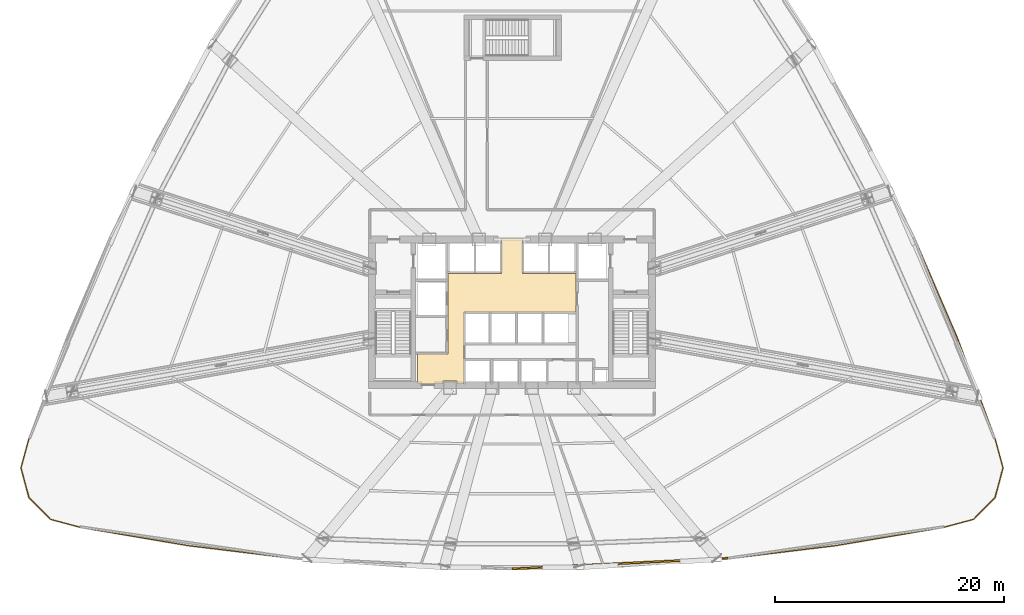
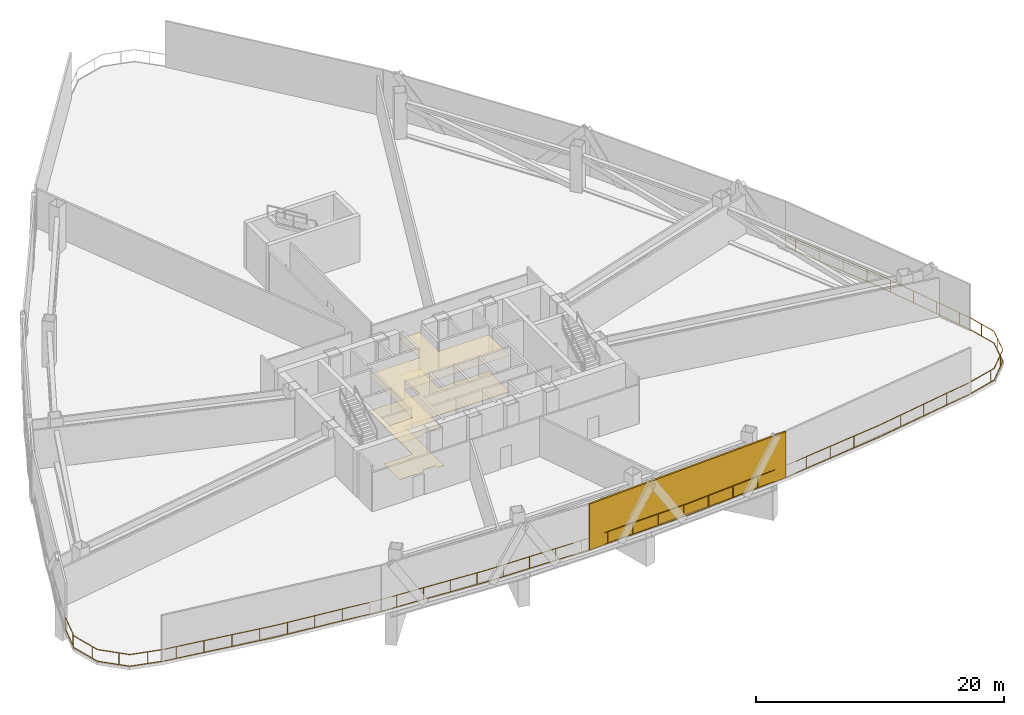
# One storey, part 13 of 17: 2 coverings, 1 railing, 1 shading device.
"""IFC4 building model written with IfcOpenShell, lengths in metres."""

from ifc_helpers import new_model, si_unit, direction, frame, origin, origin_2d, place, context, subcontext, project, spatial, polyline, rectangle, outline, extrude, source, transform, mapped, material, layer, layer_set, type_object, element, save


model = new_model("IFC4")

# Units and contexts
model_context = context("Model", 3, precision=1e-05, world=origin(), true_north=direction((0.0, 1.0)))
body_context = subcontext(model_context, "Body", "Model", "MODEL_VIEW")
ifc_project = project(units=[si_unit("LENGTHUNIT", "METRE"), si_unit("AREAUNIT", "SQUARE_METRE"), si_unit("VOLUMEUNIT", "CUBIC_METRE"), si_unit("PLANEANGLEUNIT", "RADIAN"), si_unit("MASSUNIT", "GRAM", prefix="KILO"), si_unit("THERMODYNAMICTEMPERATUREUNIT", "KELVIN"), si_unit("POWERUNIT", "WATT")], contexts=[model_context])

# Site, building, storey
site_placement = place(None, origin())
site = spatial("IfcSite", under=ifc_project, at=site_placement, CompositionType="ELEMENT")
building_placement = place(site_placement, origin())
building = spatial("IfcBuilding", under=site, at=building_placement, Name="Yunzhuo Pagoda Commons", CompositionType="ELEMENT")
storey_placement = place(building_placement, frame((0.0, 0.0, 76.3798828125)))
storey = spatial("IfcBuildingStorey", under=building, at=storey_placement, Name="L19", CompositionType="ELEMENT", Elevation=76.3798828125)

# Coverings
ifc_material_1 = material(Name="Mineral fibre acoustic ceiling board")
ifc_layer_1 = layer(ifc_material_1, 0.02490234375)
ifc_layer_set_1 = layer_set([ifc_layer_1], Name="Mineral fibre acoustic ceiling board")
covering_type_1 = type_object("IfcCoveringType", Name="COV-CL1 Ceiling 25", PredefinedType="CEILING", material=ifc_layer_set_1)
covering_1_placement = place(storey_placement, frame((0.0, 0.0, 3.590087890625)))
element("IfcCovering", 1, at=covering_1_placement, inside=storey, type_object=covering_type_1, Name="L19 lift lobby acoustic ceiling", PredefinedType="CEILING", context=body_context, shape_type="SweptSolid", body=[
    extrude(outline(polyline([(39.75, 30.199951171875), (42.39990234375, 30.199951171875), (42.39990234375, 33.89990234375), (42.39990234375, 37.25), (47.10009765625, 37.25), (47.10009765625, 40.35009765625), (48.89990234375, 40.35009765625), (48.89990234375, 37.25), (53.580078125, 37.25), (53.580078125, 33.89990234375), (43.820068359375, 33.89990234375), (43.820068359375, 30.199951171875), (43.820068359375, 27.60009765625), (43.207763671875, 27.60009765625), (43.207763671875, 27.85009765625), (43.201904296875, 27.864013671875), (43.187744140625, 27.8701171875), (41.98779296875, 27.8701171875), (41.9736328125, 27.864013671875), (41.9677734375, 27.85009765625), (41.9677734375, 27.60009765625), (39.75, 27.60009765625), (39.75, 30.199951171875)])), origin(), (0.0, 0.0, 1.0), 0.025146484375),
])
ifc_material_2 = material(Name="Porcelain ceramic floor tile")
ifc_layer_2 = layer(ifc_material_2, 0.02001953125)
ifc_layer_set_2 = layer_set([ifc_layer_2], Name="Porcelain ceramic floor tile")
covering_type_2 = type_object("IfcCoveringType", Name="COV-FL1 Flooring 20", PredefinedType="FLOORING", material=ifc_layer_set_2)
covering_2_placement = place(storey_placement, origin())
element("IfcCovering", 2, at=covering_2_placement, inside=storey, type_object=covering_type_2, Name="L19 lift lobby flooring", PredefinedType="FLOORING", context=body_context, shape_type="SweptSolid", body=[
    extrude(outline(polyline([(39.75, 30.199951171875), (42.39990234375, 30.199951171875), (42.39990234375, 33.89990234375), (42.39990234375, 37.25), (47.10009765625, 37.25), (47.10009765625, 40.35009765625), (48.89990234375, 40.35009765625), (48.89990234375, 37.25), (53.580078125, 37.25), (53.580078125, 33.89990234375), (43.820068359375, 33.89990234375), (43.820068359375, 30.199951171875), (43.820068359375, 27.60009765625), (43.207763671875, 27.60009765625), (43.207763671875, 27.85009765625), (43.201904296875, 27.864013671875), (43.187744140625, 27.8701171875), (41.98779296875, 27.8701171875), (41.9736328125, 27.864013671875), (41.9677734375, 27.85009765625), (41.9677734375, 27.60009765625), (39.75, 27.60009765625), (39.75, 30.199951171875)])), origin(), (0.0, 0.0, 1.0), 0.02001953125),
])

# Railing
ifc_material_3 = material(Name="Anodized aluminium 6063-T6", Category="aluminium")
railing_type = type_object("IfcRailingType", Name="RL-PRT1 Wind Portal & Refuge Guardrail 1200", PredefinedType="GUARDRAIL", material=ifc_material_3)
railing_placement = place(storey_placement, frame((5.891357421875, 22.911376953125, 0.0)))
element("IfcRailing", 3, at=railing_placement, inside=storey, type_object=railing_type, Name="L19 refuge perimeter guardrail A", PredefinedType="GUARDRAIL", context=body_context, shape_type="SweptSolid", body=[
    extrude(rectangle(XDim=0.048095703125, YDim=0.048095703125, at=origin_2d()), frame((0.0, 0.0, 1.17578125), z_axis=(-0.263889664517, -0.964552873077, 0.0), x_axis=(0.964552873077, -0.263889664517, 0.0)), (0.0, 0.0, 1.0), 2.701416015625),
    extrude(rectangle(XDim=0.048095703125, YDim=0.048095703125, at=origin_2d()), frame((0.0, 0.0, 0.02392578125), z_axis=(-0.263889664517, -0.964552873077, 0.0), x_axis=(0.964552873077, -0.263889664517, 0.0)), (0.0, 0.0, 1.0), 2.701416015625),
    extrude(rectangle(XDim=0.048095703125, YDim=0.048095703125, at=origin_2d()), frame((-0.712890625, -2.605712890625, 1.17578125), z_axis=(0.255494804563, -0.966810428596, 0.0), x_axis=(0.966810428596, 0.255494804563, 0.0)), (0.0, 0.0, 1.0), 2.699462890625),
    extrude(rectangle(XDim=0.048095703125, YDim=0.048095703125, at=origin_2d()), frame((-0.712890625, -2.605712890625, 0.02392578125), z_axis=(0.255494804563, -0.966810428596, 0.0), x_axis=(0.966810428596, 0.255494804563, 0.0)), (0.0, 0.0, 1.0), 2.699462890625),
    extrude(rectangle(XDim=0.048095703125, YDim=0.048095703125, at=origin_2d()), frame((-0.023193359375, -5.215576171875, 1.17578125), z_axis=(0.706156522183, -0.708055764879, 0.0), x_axis=(0.708055764879, 0.706156522183, 0.0)), (0.0, 0.0, 1.0), 2.699462890625),
    extrude(rectangle(XDim=0.048095703125, YDim=0.048095703125, at=origin_2d()), frame((-0.023193359375, -5.215576171875, 0.02392578125), z_axis=(0.706156522183, -0.708055764879, 0.0), x_axis=(0.708055764879, 0.706156522183, 0.0)), (0.0, 0.0, 1.0), 2.699462890625),
    extrude(rectangle(XDim=0.048095703125, YDim=0.048095703125, at=origin_2d()), frame((1.883056640625, -7.126953125, 1.17578125), z_axis=(0.96604719575, -0.258365662549, 0.0), x_axis=(0.258365662549, 0.96604719575, 0.0)), (0.0, 0.0, 1.0), 2.70166015625),
    extrude(rectangle(XDim=0.048095703125, YDim=0.048095703125, at=origin_2d()), frame((1.883056640625, -7.126953125, 0.02392578125), z_axis=(0.96604719575, -0.258365662549, 0.0), x_axis=(0.258365662549, 0.96604719575, 0.0)), (0.0, 0.0, 1.0), 2.70166015625),
    extrude(rectangle(XDim=0.048095703125, YDim=0.048095703125, at=origin_2d()), frame((4.492919921875, -7.824951171875, 1.17578125), z_axis=(0.985997838458, -0.166758095925, 0.0), x_axis=(0.166758095925, 0.985997838458, 0.0)), (0.0, 0.0, 1.0), 9.547119140625),
    extrude(rectangle(XDim=0.048095703125, YDim=0.048095703125, at=origin_2d()), frame((4.492919921875, -7.824951171875, 0.02392578125), z_axis=(0.985997838458, -0.166758095925, 0.0), x_axis=(0.166758095925, 0.985997838458, 0.0)), (0.0, 0.0, 1.0), 9.547119140625),
    extrude(rectangle(XDim=0.048095703125, YDim=0.048095703125, at=origin_2d()), frame((13.90625, -9.4169921875, 1.17578125), z_axis=(0.992824806609, -0.119578022149, 0.0), x_axis=(0.119578022149, 0.992824806609, 0.0)), (0.0, 0.0, 1.0), 9.475341796875),
    extrude(rectangle(XDim=0.048095703125, YDim=0.048095703125, at=origin_2d()), frame((13.90625, -9.4169921875, 0.02392578125), z_axis=(0.992824806609, -0.119578022149, 0.0), x_axis=(0.119578022149, 0.992824806609, 0.0)), (0.0, 0.0, 1.0), 9.475341796875),
    extrude(rectangle(XDim=0.048095703125, YDim=0.048095703125, at=origin_2d()), frame((23.313720703125, -10.550048828125, 1.17578125), z_axis=(0.99741856871, -0.071806676513, 0.0), x_axis=(0.071806676513, 0.99741856871, 0.0)), (0.0, 0.0, 1.0), 9.4248046875),
    extrude(rectangle(XDim=0.048095703125, YDim=0.048095703125, at=origin_2d()), frame((23.313720703125, -10.550048828125, 0.02392578125), z_axis=(0.99741856871, -0.071806676513, 0.0), x_axis=(0.071806676513, 0.99741856871, 0.0)), (0.0, 0.0, 1.0), 9.4248046875),
    extrude(rectangle(XDim=0.048095703125, YDim=0.048095703125, at=origin_2d()), frame((32.714111328125, -11.226806640625, 1.17578125), z_axis=(0.999713692586, -0.023927658806, 0.0), x_axis=(0.023927658806, 0.999713692586, 0.0)), (0.0, 0.0, 1.0), 9.397216796875),
    extrude(rectangle(XDim=0.048095703125, YDim=0.048095703125, at=origin_2d()), frame((32.714111328125, -11.226806640625, 0.02392578125), z_axis=(0.999713692586, -0.023927658806, 0.0), x_axis=(0.023927658806, 0.999713692586, 0.0)), (0.0, 0.0, 1.0), 9.397216796875),
    extrude(rectangle(XDim=0.048095703125, YDim=0.048095703125, at=origin_2d()), frame((42.108642578125, -11.45166015625, 1.17578125), z_axis=(0.999713692586, 0.023927658806, 0.0), x_axis=(-0.023927658806, 0.999713692586, 0.0)), (0.0, 0.0, 1.0), 9.397216796875),
    extrude(rectangle(XDim=0.048095703125, YDim=0.048095703125, at=origin_2d()), frame((42.108642578125, -11.45166015625, 0.02392578125), z_axis=(0.999713692586, 0.023927658806, 0.0), x_axis=(-0.023927658806, 0.999713692586, 0.0)), (0.0, 0.0, 1.0), 9.397216796875),
    extrude(rectangle(XDim=0.048095703125, YDim=0.048095703125, at=origin_2d()), frame((51.503173828125, -11.226806640625, 1.17578125), z_axis=(0.99741856871, 0.071806676513, 0.0), x_axis=(-0.071806676513, 0.99741856871, 0.0)), (0.0, 0.0, 1.0), 9.4248046875),
    extrude(rectangle(XDim=0.048095703125, YDim=0.048095703125, at=origin_2d()), frame((51.503173828125, -11.226806640625, 0.02392578125), z_axis=(0.99741856871, 0.071806676513, 0.0), x_axis=(-0.071806676513, 0.99741856871, 0.0)), (0.0, 0.0, 1.0), 9.4248046875),
    extrude(rectangle(XDim=0.048095703125, YDim=0.048095703125, at=origin_2d()), frame((60.903564453125, -10.550048828125, 1.17578125), z_axis=(0.992824806609, 0.119578022149, 0.0), x_axis=(-0.119578022149, 0.992824806609, 0.0)), (0.0, 0.0, 1.0), 9.475341796875),
    extrude(rectangle(XDim=0.048095703125, YDim=0.048095703125, at=origin_2d()), frame((60.903564453125, -10.550048828125, 0.02392578125), z_axis=(0.992824806609, 0.119578022149, 0.0), x_axis=(-0.119578022149, 0.992824806609, 0.0)), (0.0, 0.0, 1.0), 9.475341796875),
    extrude(rectangle(XDim=0.048095703125, YDim=0.048095703125, at=origin_2d()), frame((70.31103515625, -9.4169921875, 1.17578125), z_axis=(0.985997838458, 0.166758095925, 0.0), x_axis=(-0.166758095925, 0.985997838458, 0.0)), (0.0, 0.0, 1.0), 9.547119140625),
    extrude(rectangle(XDim=0.048095703125, YDim=0.048095703125, at=origin_2d()), frame((70.31103515625, -9.4169921875, 0.02392578125), z_axis=(0.985997838458, 0.166758095925, 0.0), x_axis=(-0.166758095925, 0.985997838458, 0.0)), (0.0, 0.0, 1.0), 9.547119140625),
    extrude(rectangle(XDim=0.048095703125, YDim=0.048095703125, at=origin_2d()), frame((79.724365234375, -7.824951171875, 1.17578125), z_axis=(0.96604719575, 0.258365662549, 0.0), x_axis=(-0.258365662549, 0.96604719575, 0.0)), (0.0, 0.0, 1.0), 2.70166015625),
    extrude(rectangle(XDim=0.048095703125, YDim=0.048095703125, at=origin_2d()), frame((79.724365234375, -7.824951171875, 0.02392578125), z_axis=(0.96604719575, 0.258365662549, 0.0), x_axis=(-0.258365662549, 0.96604719575, 0.0)), (0.0, 0.0, 1.0), 2.70166015625),
    extrude(rectangle(XDim=0.048095703125, YDim=0.048095703125, at=origin_2d()), frame((82.334228515625, -7.126953125, 1.17578125), z_axis=(0.706156522183, 0.708055764879, 0.0), x_axis=(-0.708055764879, 0.706156522183, 0.0)), (0.0, 0.0, 1.0), 2.699462890625),
    extrude(rectangle(XDim=0.048095703125, YDim=0.048095703125, at=origin_2d()), frame((82.334228515625, -7.126953125, 0.02392578125), z_axis=(0.706156522183, 0.708055764879, 0.0), x_axis=(-0.708055764879, 0.706156522183, 0.0)), (0.0, 0.0, 1.0), 2.699462890625),
    extrude(rectangle(XDim=0.048095703125, YDim=0.048095703125, at=origin_2d()), frame((84.240478515625, -5.215576171875, 1.17578125), z_axis=(0.255494804563, 0.966810428596, 0.0), x_axis=(-0.966810428596, 0.255494804563, 0.0)), (0.0, 0.0, 1.0), 2.699462890625),
    extrude(rectangle(XDim=0.048095703125, YDim=0.048095703125, at=origin_2d()), frame((84.240478515625, -5.215576171875, 0.02392578125), z_axis=(0.255494804563, 0.966810428596, 0.0), x_axis=(-0.966810428596, 0.255494804563, 0.0)), (0.0, 0.0, 1.0), 2.699462890625),
    extrude(rectangle(XDim=0.048095703125, YDim=0.048095703125, at=origin_2d()), frame((84.93017578125, -2.605712890625, 1.17578125), z_axis=(-0.263889664517, 0.964552873077, 0.0), x_axis=(-0.964552873077, -0.263889664517, 0.0)), (0.0, 0.0, 1.0), 2.701416015625),
    extrude(rectangle(XDim=0.048095703125, YDim=0.048095703125, at=origin_2d()), frame((84.93017578125, -2.605712890625, 0.02392578125), z_axis=(-0.263889664517, 0.964552873077, 0.0), x_axis=(-0.964552873077, -0.263889664517, 0.0)), (0.0, 0.0, 1.0), 2.701416015625),
    extrude(rectangle(XDim=0.048095703125, YDim=0.048095703125, at=origin_2d()), frame((84.21728515625, 0.0, 1.17578125), z_axis=(-0.351761798176, 0.93608954558, 0.0), x_axis=(-0.93608954558, -0.351761798176, 0.0)), (0.0, 0.0, 1.0), 9.470947265625),
    extrude(rectangle(XDim=0.048095703125, YDim=0.048095703125, at=origin_2d()), frame((84.21728515625, 0.0, 0.02392578125), z_axis=(-0.351761798176, 0.93608954558, 0.0), x_axis=(-0.93608954558, -0.351761798176, 0.0)), (0.0, 0.0, 1.0), 9.470947265625),
    extrude(rectangle(XDim=0.048095703125, YDim=0.048095703125, at=origin_2d()), frame((80.8857421875, 8.86572265625, 1.17578125), z_axis=(-0.396325554935, 0.918110044878, 0.0), x_axis=(-0.918110044878, -0.396325554935, 0.0)), (0.0, 0.0, 1.0), 9.399169921875),
    extrude(rectangle(XDim=0.048095703125, YDim=0.048095703125, at=origin_2d()), frame((80.8857421875, 8.86572265625, 0.02392578125), z_axis=(-0.396325554935, 0.918110044878, 0.0), x_axis=(-0.918110044878, -0.396325554935, 0.0)), (0.0, 0.0, 1.0), 9.399169921875),
    extrude(rectangle(XDim=0.0419921875, YDim=0.0419921875, at=origin_2d()), origin(), (0.0, 0.0, 1.0), 1.15185546875),
    extrude(rectangle(XDim=0.0419921875, YDim=0.0419921875, at=origin_2d()), frame((-0.63330078125, -2.31494140625, 0.0)), (0.0, 0.0, 1.0), 1.15185546875),
    extrude(rectangle(XDim=0.0419921875, YDim=0.0419921875, at=origin_2d()), frame((-0.1767578125, -4.634521484375, 0.0)), (0.0, 0.0, 1.0), 1.15185546875),
    extrude(rectangle(XDim=0.0419921875, YDim=0.0419921875, at=origin_2d()), frame((1.247314453125, -6.489501953125, 0.0)), (0.0, 0.0, 1.0), 1.15185546875),
    extrude(rectangle(XDim=0.0419921875, YDim=0.0419921875, at=origin_2d()), frame((3.331787109375, -7.514404296875, 0.0)), (0.0, 0.0, 1.0), 1.15185546875),
    extrude(rectangle(XDim=0.0419921875, YDim=0.0419921875, at=origin_2d()), frame((5.674072265625, -8.024658203125, 0.0)), (0.0, 0.0, 1.0), 1.15185546875),
    extrude(rectangle(XDim=0.0419921875, YDim=0.0419921875, at=origin_2d()), frame((8.04052734375, -8.425048828125, 0.0)), (0.0, 0.0, 1.0), 1.15185546875),
    extrude(rectangle(XDim=0.0419921875, YDim=0.0419921875, at=origin_2d()), frame((10.406982421875, -8.8251953125, 0.0)), (0.0, 0.0, 1.0), 1.15185546875),
    extrude(rectangle(XDim=0.0419921875, YDim=0.0419921875, at=origin_2d()), frame((12.7734375, -9.225341796875, 0.0)), (0.0, 0.0, 1.0), 1.15185546875),
    extrude(rectangle(XDim=0.0419921875, YDim=0.0419921875, at=origin_2d()), frame((15.148193359375, -9.566650390625, 0.0)), (0.0, 0.0, 1.0), 1.15185546875),
    extrude(rectangle(XDim=0.0419921875, YDim=0.0419921875, at=origin_2d()), frame((17.531005859375, -9.853515625, 0.0)), (0.0, 0.0, 1.0), 1.15185546875),
    extrude(rectangle(XDim=0.0419921875, YDim=0.0419921875, at=origin_2d()), frame((19.913818359375, -10.140625, 0.0)), (0.0, 0.0, 1.0), 1.15185546875),
    extrude(rectangle(XDim=0.0419921875, YDim=0.0419921875, at=origin_2d()), frame((22.296630859375, -10.427490234375, 0.0)), (0.0, 0.0, 1.0), 1.15185546875),
    extrude(rectangle(XDim=0.0419921875, YDim=0.0419921875, at=origin_2d()), frame((24.685791015625, -10.64892578125, 0.0)), (0.0, 0.0, 1.0), 1.15185546875),
    extrude(rectangle(XDim=0.0419921875, YDim=0.0419921875, at=origin_2d()), frame((27.07958984375, -10.821044921875, 0.0)), (0.0, 0.0, 1.0), 1.15185546875),
    extrude(rectangle(XDim=0.0419921875, YDim=0.0419921875, at=origin_2d()), frame((29.473388671875, -10.993408203125, 0.0)), (0.0, 0.0, 1.0), 1.15185546875),
    extrude(rectangle(XDim=0.0419921875, YDim=0.0419921875, at=origin_2d()), frame((31.8671875, -11.165771484375, 0.0)), (0.0, 0.0, 1.0), 1.15185546875),
    extrude(rectangle(XDim=0.0419921875, YDim=0.0419921875, at=origin_2d()), frame((34.264404296875, -11.263916015625, 0.0)), (0.0, 0.0, 1.0), 1.15185546875),
    extrude(rectangle(XDim=0.0419921875, YDim=0.0419921875, at=origin_2d()), frame((36.663818359375, -11.3212890625, 0.0)), (0.0, 0.0, 1.0), 1.15185546875),
    extrude(rectangle(XDim=0.0419921875, YDim=0.0419921875, at=origin_2d()), frame((39.063232421875, -11.378662109375, 0.0)), (0.0, 0.0, 1.0), 1.15185546875),
    extrude(rectangle(XDim=0.0419921875, YDim=0.0419921875, at=origin_2d()), frame((41.46240234375, -11.436279296875, 0.0)), (0.0, 0.0, 1.0), 1.15185546875),
    extrude(rectangle(XDim=0.0419921875, YDim=0.0419921875, at=origin_2d()), frame((43.86181640625, -11.40966796875, 0.0)), (0.0, 0.0, 1.0), 1.15185546875),
    extrude(rectangle(XDim=0.0419921875, YDim=0.0419921875, at=origin_2d()), frame((46.260986328125, -11.352294921875, 0.0)), (0.0, 0.0, 1.0), 1.15185546875),
    extrude(rectangle(XDim=0.0419921875, YDim=0.0419921875, at=origin_2d()), frame((48.660400390625, -11.294921875, 0.0)), (0.0, 0.0, 1.0), 1.15185546875),
    extrude(rectangle(XDim=0.0419921875, YDim=0.0419921875, at=origin_2d()), frame((51.0595703125, -11.2373046875, 0.0)), (0.0, 0.0, 1.0), 1.15185546875),
    extrude(rectangle(XDim=0.0419921875, YDim=0.0419921875, at=origin_2d()), frame((53.45458984375, -11.08642578125, 0.0)), (0.0, 0.0, 1.0), 1.15185546875),
    extrude(rectangle(XDim=0.0419921875, YDim=0.0419921875, at=origin_2d()), frame((55.848388671875, -10.9140625, 0.0)), (0.0, 0.0, 1.0), 1.15185546875),
    extrude(rectangle(XDim=0.0419921875, YDim=0.0419921875, at=origin_2d()), frame((58.2421875, -10.74169921875, 0.0)), (0.0, 0.0, 1.0), 1.15185546875),
    extrude(rectangle(XDim=0.0419921875, YDim=0.0419921875, at=origin_2d()), frame((60.635986328125, -10.5693359375, 0.0)), (0.0, 0.0, 1.0), 1.15185546875),
    extrude(rectangle(XDim=0.0419921875, YDim=0.0419921875, at=origin_2d()), frame((63.02001953125, -10.295166015625, 0.0)), (0.0, 0.0, 1.0), 1.15185546875),
    extrude(rectangle(XDim=0.0419921875, YDim=0.0419921875, at=origin_2d()), frame((65.402587890625, -10.008056640625, 0.0)), (0.0, 0.0, 1.0), 1.15185546875),
    extrude(rectangle(XDim=0.0419921875, YDim=0.0419921875, at=origin_2d()), frame((67.785400390625, -9.72119140625, 0.0)), (0.0, 0.0, 1.0), 1.15185546875),
    extrude(rectangle(XDim=0.0419921875, YDim=0.0419921875, at=origin_2d()), frame((72.53564453125, -9.040771484375, 0.0)), (0.0, 0.0, 1.0), 1.15185546875),
    extrude(rectangle(XDim=0.0419921875, YDim=0.0419921875, at=origin_2d()), frame((74.902099609375, -8.640625, 0.0)), (0.0, 0.0, 1.0), 1.15185546875),
    extrude(rectangle(XDim=0.0419921875, YDim=0.0419921875, at=origin_2d()), frame((77.268310546875, -8.240234375, 0.0)), (0.0, 0.0, 1.0), 1.15185546875),
    extrude(rectangle(XDim=0.0419921875, YDim=0.0419921875, at=origin_2d()), frame((81.955078125, -7.228271484375, 0.0)), (0.0, 0.0, 1.0), 1.15185546875),
    extrude(rectangle(XDim=0.0419921875, YDim=0.0419921875, at=origin_2d()), frame((83.751953125, -5.70556640625, 0.0)), (0.0, 0.0, 1.0), 1.15185546875),
    extrude(rectangle(XDim=0.0419921875, YDim=0.0419921875, at=origin_2d()), frame((84.677001953125, -3.564208984375, 0.0)), (0.0, 0.0, 1.0), 1.15185546875),
    extrude(rectangle(XDim=0.0419921875, YDim=0.0419921875, at=origin_2d()), frame((84.558349609375, -1.2470703125, 0.0)), (0.0, 0.0, 1.0), 1.15185546875),
    extrude(rectangle(XDim=0.0419921875, YDim=0.0419921875, at=origin_2d()), frame((83.827880859375, 1.036376953125, 0.0)), (0.0, 0.0, 1.0), 1.15185546875),
    extrude(rectangle(XDim=0.0419921875, YDim=0.0419921875, at=origin_2d()), frame((82.983642578125, 3.282958984375, 0.0)), (0.0, 0.0, 1.0), 1.15185546875),
    extrude(rectangle(XDim=0.0419921875, YDim=0.0419921875, at=origin_2d()), frame((82.139404296875, 5.52978515625, 0.0)), (0.0, 0.0, 1.0), 1.15185546875),
    extrude(rectangle(XDim=0.0419921875, YDim=0.0419921875, at=origin_2d()), frame((81.295166015625, 7.7763671875, 0.0)), (0.0, 0.0, 1.0), 1.15185546875),
    extrude(rectangle(XDim=0.0419921875, YDim=0.0419921875, at=origin_2d()), frame((80.395751953125, 10.000732421875, 0.0)), (0.0, 0.0, 1.0), 1.15185546875),
    extrude(rectangle(XDim=0.0419921875, YDim=0.0419921875, at=origin_2d()), frame((79.444580078125, 12.2041015625, 0.0)), (0.0, 0.0, 1.0), 1.15185546875),
    extrude(rectangle(XDim=0.0419921875, YDim=0.0419921875, at=origin_2d()), frame((78.493408203125, 14.40771484375, 0.0)), (0.0, 0.0, 1.0), 1.15185546875),
    extrude(rectangle(XDim=0.0419921875, YDim=0.0419921875, at=origin_2d()), frame((77.542236328125, 16.611083984375, 0.0)), (0.0, 0.0, 1.0), 1.15185546875),
    extrude(rectangle(XDim=0.0419921875, YDim=0.0419921875, at=origin_2d()), frame((77.16064453125, 17.4951171875, 0.0)), (0.0, 0.0, 1.0), 1.15185546875),
])

# Shading device
ifc_layer_3 = layer(ifc_material_3, 0.159912109375)
ifc_layer_set_3 = layer_set([ifc_layer_3], Name="Anodized aluminium 6063-T6")
shading_device_type = type_object("IfcShadingDeviceType", Name="SH-SCR1 Stormproof Refuge Louvre Screen", PredefinedType="JALOUSIE", material=ifc_layer_set_3)
shared_shape = source(origin(), body_context, "Body", "SweptSolid", [
    extrude(rectangle(XDim=18.830810546875, YDim=0.159912109375, at=origin_2d()), origin(), (0.0, 0.0, 1.0), 4.5400390625),
])
shading_device_placement = place(storey_placement, frame((57.41845703125, 11.938232421875, 0.0), z_axis=(0.0, 0.0, 1.0), x_axis=(0.998818043775, 0.04860571396, 0.0)))
element("IfcShadingDevice", 4, at=shading_device_placement, inside=storey, type_object=shading_device_type, Name="L19 stormproof refuge louvre screen F1.3", PredefinedType="JALOUSIE", context=body_context, shape_type="MappedRepresentation", body=[
    mapped(shared_shape, transform((0.0, 0.0, 0.0), scale=1.0)),
])

save(model, "model.ifc")
